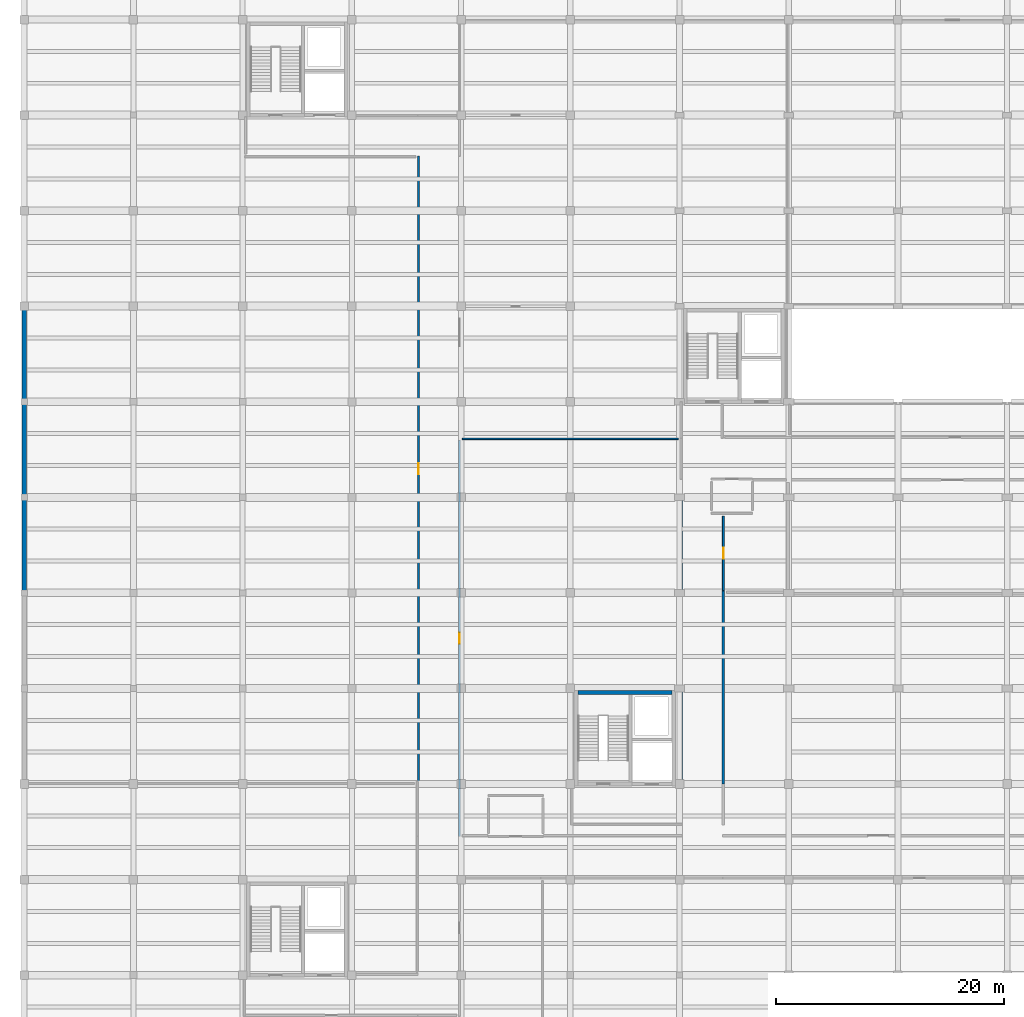
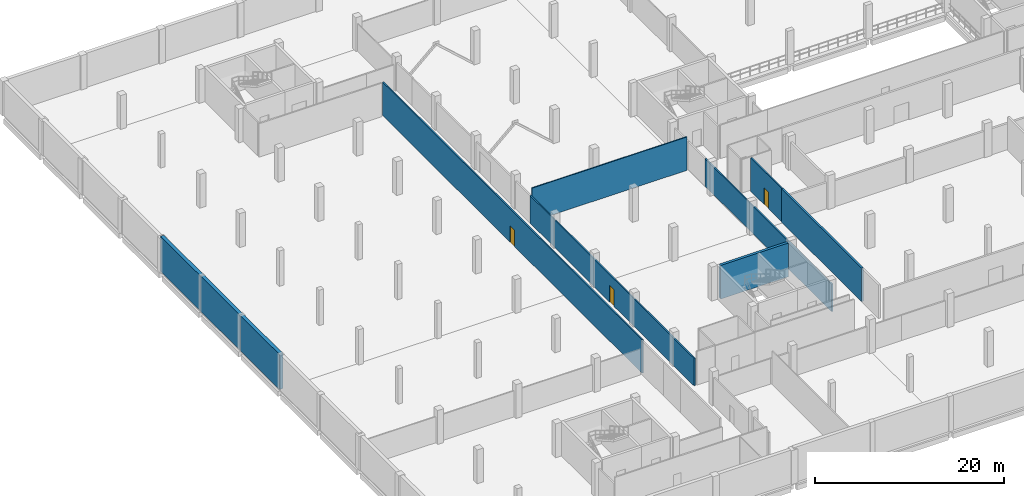
# One storey, part 17 of 30: 10 walls, 3 doors, 3 openings.
"""IFC4 building model written with IfcOpenShell, lengths in metres."""

from ifc_helpers import new_model, si_unit, direction, frame, frame_2d, origin, place, context, subcontext, project, spatial, rectangle, extrude, material, layer, layer_set, type_object, element, fill, save


model = new_model("IFC4")

# Units and contexts
model_context = context("Model", 3, precision=1e-05, world=origin(), true_north=direction((0.0, 1.0)))
body_context = subcontext(model_context, "Body", "Model", "MODEL_VIEW")
ifc_project = project(units=[si_unit("LENGTHUNIT", "METRE"), si_unit("AREAUNIT", "SQUARE_METRE"), si_unit("VOLUMEUNIT", "CUBIC_METRE"), si_unit("PLANEANGLEUNIT", "RADIAN"), si_unit("MASSUNIT", "GRAM", prefix="KILO")], contexts=[model_context])

# Site, building, storey
site_placement = place(None, origin())
site = spatial("IfcSite", under=ifc_project, at=site_placement, CompositionType="ELEMENT")
building_placement = place(site_placement, origin())
building = spatial("IfcBuilding", under=site, at=building_placement, Name="Lornevale Opera House", CompositionType="ELEMENT")
storey_placement = place(building_placement, frame((0.0, 0.0, -4.800048828125)))
storey = spatial("IfcBuildingStorey", under=building, at=storey_placement, Name="B1", CompositionType="ELEMENT", Elevation=-4.800048828125)

# Walls
ifc_material_1 = material(Name="Concrete 40 MPa (CSA A23.1 C-1)", Category="concrete")
ifc_layer_1 = layer(ifc_material_1, 0.419921875)
ifc_layer_set_1 = layer_set([ifc_layer_1], Name="Concrete 40 MPa (CSA A23.1 C-1)")
wall_type_1 = type_object("IfcWallType", Name="Basement Retaining Wall 420", PredefinedType="USERDEFINED", material=ifc_layer_set_1)
wall_1_placement = place(storey_placement, frame((0.0, 42.0, 0.0), z_axis=(0.0, 0.0, 1.0), x_axis=(0.0, 1.0, 0.0)))
element("IfcWall", 1, at=wall_1_placement, inside=storey, type_object=wall_type_1, Name="Basement Escarpment Plinth Wall WL-EXT-0071", ObjectType="RETAINING WALL", PredefinedType="USERDEFINED", context=body_context, shape_type="SweptSolid", body=[
    extrude(rectangle(XDim=8.39990234375, YDim=0.419921875, at=frame_2d((4.199951171875, 0.0))), origin(), (0.0, 0.0, 1.0), 4.550048828125),
])
wall_2_placement = place(storey_placement, frame((0.0, 50.39990234375, 0.0), z_axis=(0.0, 0.0, 1.0), x_axis=(0.0, 1.0, 0.0)))
element("IfcWall", 2, at=wall_2_placement, inside=storey, type_object=wall_type_1, Name="Basement Escarpment Plinth Wall WL-EXT-0072", ObjectType="RETAINING WALL", PredefinedType="USERDEFINED", context=body_context, shape_type="SweptSolid", body=[
    extrude(rectangle(XDim=8.400146484375, YDim=0.419921875, at=frame_2d((4.2001953125, 0.0))), origin(), (0.0, 0.0, 1.0), 4.550048828125),
])
wall_3_placement = place(storey_placement, frame((0.0, 58.800048828125, 0.0), z_axis=(0.0, 0.0, 1.0), x_axis=(0.0, 1.0, 0.0)))
element("IfcWall", 3, at=wall_3_placement, inside=storey, type_object=wall_type_1, Name="Basement Escarpment Plinth Wall WL-EXT-0073", ObjectType="RETAINING WALL", PredefinedType="USERDEFINED", context=body_context, shape_type="SweptSolid", body=[
    extrude(rectangle(XDim=8.39990234375, YDim=0.419921875, at=frame_2d((4.199951171875, 0.0))), origin(), (0.0, 0.0, 1.0), 4.550048828125),
])
ifc_layer_2 = layer(ifc_material_1, 0.320068359375)
ifc_layer_set_2 = layer_set([ifc_layer_2], Name="Concrete 40 MPa (CSA A23.1 C-1)")
wall_type_2 = type_object("IfcWallType", Name="Core Shear Wall 320", PredefinedType="SHEAR", material=ifc_layer_set_2)
wall_4_placement = place(storey_placement, frame((56.93994140625, 33.239990234375, 0.0), z_axis=(0.0, 0.0, 1.0), x_axis=(-1.0, 0.0, 0.0)))
element("IfcWall", 4, at=wall_4_placement, inside=storey, type_object=wall_type_2, Name="South-West Foyer Core Core Shear Wall 320 WL-COR-0010", PredefinedType="SHEAR", context=body_context, shape_type="SweptSolid", body=[
    extrude(rectangle(XDim=8.280029296875, YDim=0.320068359375, at=frame_2d((4.14013671875, 0.0))), origin(), (0.0, 0.0, 1.0), 4.360107421875),
])

# Wall, opening, door
ifc_material_2 = material(Name="Acoustic Mineral-Core Gypsum Partition", Category="gypsum")
ifc_layer_3 = layer(ifc_material_2, 0.1650390625)
ifc_layer_set_3 = layer_set([ifc_layer_3], Name="Acoustic Mineral-Core Gypsum Partition")
wall_type_3 = type_object("IfcWallType", Name="Corridor Rated Partition 165", PredefinedType="PARTITIONING", material=ifc_layer_set_3)
wall_5_placement = place(storey_placement, frame((34.659912109375, 25.39990234375, 0.0), z_axis=(0.0, 0.0, 1.0), x_axis=(0.0, 1.0, 0.0)))
wall_5 = element("IfcWall", 5, at=wall_5_placement, inside=storey, type_object=wall_type_3, Name="B1 Partition WL-INT-0595", PredefinedType="PARTITIONING", context=body_context, shape_type="SweptSolid", body=[
    extrude(rectangle(XDim=55.0, YDim=0.1650390625, at=frame_2d((27.5, 0.0))), origin(), (0.0, 0.0, 1.0), 4.330078125),
])
opening_1_placement = place(wall_5_placement, frame((27.02490234375, 0.0, 0.0)))
opening_1 = element("IfcOpeningElement", 6, at=opening_1_placement, cuts=wall_5, Name="Opening DR-T20", PredefinedType="OPENING", context=body_context, shape_type="SweptSolid", body=[
    extrude(rectangle(XDim=0.949951171875, YDim=2.14990234375, at=frame_2d((0.47509765625, 1.074951171875))), frame((0.0, 0.092529296875, 0.0), z_axis=(0.0, -1.0, 0.0), x_axis=(1.0, 0.0, 0.0)), (0.0, 0.0, 1.0), 0.18505859375),
])
ifc_material_3 = material(Name="White Oak Acoustic Panelling", Category="wood")
ifc_layer_4 = layer(ifc_material_3, 2.14990234375)
ifc_layer_set_4 = layer_set([ifc_layer_4], Name="White Oak Acoustic Panelling")
door_type_1 = type_object("IfcDoorType", Name="Soloist Dressing Door R 950x2150", OperationType="NOTDEFINED", PredefinedType="DOOR", material=ifc_layer_set_4)
door_1_placement = place(opening_1_placement, origin())
door_1 = element("IfcDoor", 7, at=door_1_placement, inside=storey, type_object=door_type_1, Name="Orchestra Instrument & Manuscript Store Door", OperationType="SINGLE_SWING_RIGHT", OverallHeight=2.14990234375, OverallWidth=0.949951171875, PredefinedType="DOOR", context=body_context, shape_type="SweptSolid", body=[
    extrude(rectangle(XDim=0.949951171875, YDim=2.14990234375, at=frame_2d((0.47509765625, 1.074951171875))), frame((0.0, 0.02490234375, 0.0), z_axis=(0.0, -1.0, 0.0), x_axis=(1.0, 0.0, 0.0)), (0.0, 0.0, 1.0), 0.050048828125),
])
fill(opening_1, door_1)

wall_6_placement = place(storey_placement, frame((38.260009765625, 20.60009765625, 0.0), z_axis=(0.0, 0.0, 1.0), x_axis=(0.0, 1.0, 0.0)))
wall_6 = element("IfcWall", 8, at=wall_6_placement, inside=storey, type_object=wall_type_3, Name="B1 Partition WL-INT-0615", PredefinedType="PARTITIONING", context=body_context, shape_type="SweptSolid", body=[
    extrude(rectangle(XDim=34.7998046875, YDim=0.1650390625, at=frame_2d((17.39990234375, 0.0))), origin(), (0.0, 0.0, 1.0), 3.56005859375),
])
opening_2_placement = place(wall_6_placement, frame((16.925048828125, 0.0, 0.0)))
opening_2 = element("IfcOpeningElement", 9, at=opening_2_placement, cuts=wall_6, Name="Opening DR-T20", PredefinedType="OPENING", context=body_context, shape_type="SweptSolid", body=[
    extrude(rectangle(XDim=0.949951171875, YDim=2.14990234375, at=frame_2d((0.47509765625, 1.074951171875))), frame((0.0, 0.092529296875, 0.0), z_axis=(0.0, -1.0, 0.0), x_axis=(1.0, 0.0, 0.0)), (0.0, 0.0, 1.0), 0.18505859375),
])
door_2_placement = place(opening_2_placement, origin())
door_2 = element("IfcDoor", 10, at=door_2_placement, inside=storey, type_object=door_type_1, Name="Orchestra Instrument & Manuscript Store Door", OperationType="SINGLE_SWING_RIGHT", OverallHeight=2.14990234375, OverallWidth=0.949951171875, PredefinedType="DOOR", context=body_context, shape_type="SweptSolid", body=[
    extrude(rectangle(XDim=0.949951171875, YDim=2.14990234375, at=frame_2d((0.47509765625, 1.074951171875))), frame((0.0, 0.02490234375, 0.0), z_axis=(0.0, -1.0, 0.0), x_axis=(1.0, 0.0, 0.0)), (0.0, 0.0, 1.0), 0.050048828125),
])
fill(opening_2, door_2)

# Wall
wall_7_placement = place(storey_placement, frame((57.739990234375, 25.199951171875, 0.0), z_axis=(0.0, 0.0, 1.0), x_axis=(0.0, 1.0, 0.0)))
element("IfcWall", 11, at=wall_7_placement, inside=storey, type_object=wall_type_3, Name="B1 Partition WL-INT-0620", PredefinedType="PARTITIONING", context=body_context, shape_type="SweptSolid", body=[
    extrude(rectangle(XDim=26.800048828125, YDim=0.1650390625, at=frame_2d((13.39990234375, 0.0))), origin(), (0.0, 0.0, 1.0), 3.56005859375),
])

# Wall, opening, door
wall_8_placement = place(storey_placement, frame((61.4599609375, 42.199951171875, 0.0), z_axis=(0.0, 0.0, 1.0), x_axis=(0.0, 1.0, 0.0)))
wall_8 = element("IfcWall", 12, at=wall_8_placement, inside=storey, type_object=wall_type_3, Name="B1 Partition WL-INT-0639", PredefinedType="PARTITIONING", context=body_context, shape_type="SweptSolid", body=[
    extrude(rectangle(XDim=6.550048828125, YDim=0.1650390625, at=frame_2d((3.27490234375, 0.0))), origin(), (0.0, 0.0, 1.0), 4.330078125),
])
opening_3_placement = place(wall_8_placement, frame((2.800048828125, 0.0, 0.0)))
opening_3 = element("IfcOpeningElement", 13, at=opening_3_placement, cuts=wall_8, Name="Opening DR-T19", PredefinedType="OPENING", context=body_context, shape_type="SweptSolid", body=[
    extrude(rectangle(XDim=0.949951171875, YDim=2.14990234375, at=frame_2d((0.47509765625, 1.074951171875))), frame((0.0, 0.092529296875, 0.0), z_axis=(0.0, -1.0, 0.0), x_axis=(1.0, 0.0, 0.0)), (0.0, 0.0, 1.0), 0.18505859375),
])
ifc_layer_5 = layer(ifc_material_3, 2.14990234375)
ifc_layer_set_5 = layer_set([ifc_layer_5], Name="White Oak Acoustic Panelling")
door_type_2 = type_object("IfcDoorType", Name="Soloist Dressing Door L 950x2150", OperationType="NOTDEFINED", PredefinedType="DOOR", material=ifc_layer_set_5)
door_3_placement = place(opening_3_placement, origin())
door_3 = element("IfcDoor", 14, at=door_3_placement, inside=storey, type_object=door_type_2, Name="Orchestra Instrument & Manuscript Store Door", OperationType="SINGLE_SWING_LEFT", OverallHeight=2.14990234375, OverallWidth=0.949951171875, PredefinedType="DOOR", context=body_context, shape_type="SweptSolid", body=[
    extrude(rectangle(XDim=0.949951171875, YDim=2.14990234375, at=frame_2d((0.47509765625, 1.074951171875))), frame((0.0, 0.02490234375, 0.0), z_axis=(0.0, -1.0, 0.0), x_axis=(1.0, 0.0, 0.0)), (0.0, 0.0, 1.0), 0.050048828125),
])
fill(opening_3, door_3)

# Walls
ifc_layer_6 = layer(ifc_material_2, 0.125)
ifc_layer_set_6 = layer_set([ifc_layer_6], Name="Acoustic Mineral-Core Gypsum Partition")
wall_type_4 = type_object("IfcWallType", Name="Dressing Suite Partition 125", PredefinedType="PARTITIONING", material=ifc_layer_set_6)
wall_9_placement = place(storey_placement, frame((38.510009765625, 55.5400390625, 0.0), z_axis=(0.0, 0.0, 1.0), x_axis=(1.0, 0.0, 0.0)))
element("IfcWall", 15, at=wall_9_placement, inside=storey, type_object=wall_type_4, Name="B1 Partition WL-INT-0651", PredefinedType="PARTITIONING", context=body_context, shape_type="SweptSolid", body=[
    extrude(rectangle(XDim=18.97998046875, YDim=0.125, at=frame_2d((9.489990234375, 0.0))), origin(), (0.0, 0.0, 1.0), 4.330078125),
])
ifc_layer_7 = layer(ifc_material_2, 0.22998046875)
ifc_layer_set_7 = layer_set([ifc_layer_7], Name="Acoustic Mineral-Core Gypsum Partition")
wall_type_5 = type_object("IfcWallType", Name="Rehearsal Studio Acoustic Wall 230", PredefinedType="SOLIDWALL", material=ifc_layer_set_7)
wall_10_placement = place(storey_placement, frame((61.4599609375, 25.199951171875, 0.0), z_axis=(0.0, 0.0, 1.0), x_axis=(0.0, 1.0, 0.0)))
element("IfcWall", 16, at=wall_10_placement, inside=storey, type_object=wall_type_5, Name="B1 Partition WL-INT-0574", PredefinedType="SOLIDWALL", context=body_context, shape_type="SweptSolid", body=[
    extrude(rectangle(XDim=17.0, YDim=0.22998046875, at=frame_2d((8.5, 0.0))), origin(), (0.0, 0.0, 1.0), 4.330078125),
])

save(model, "model.ifc")
